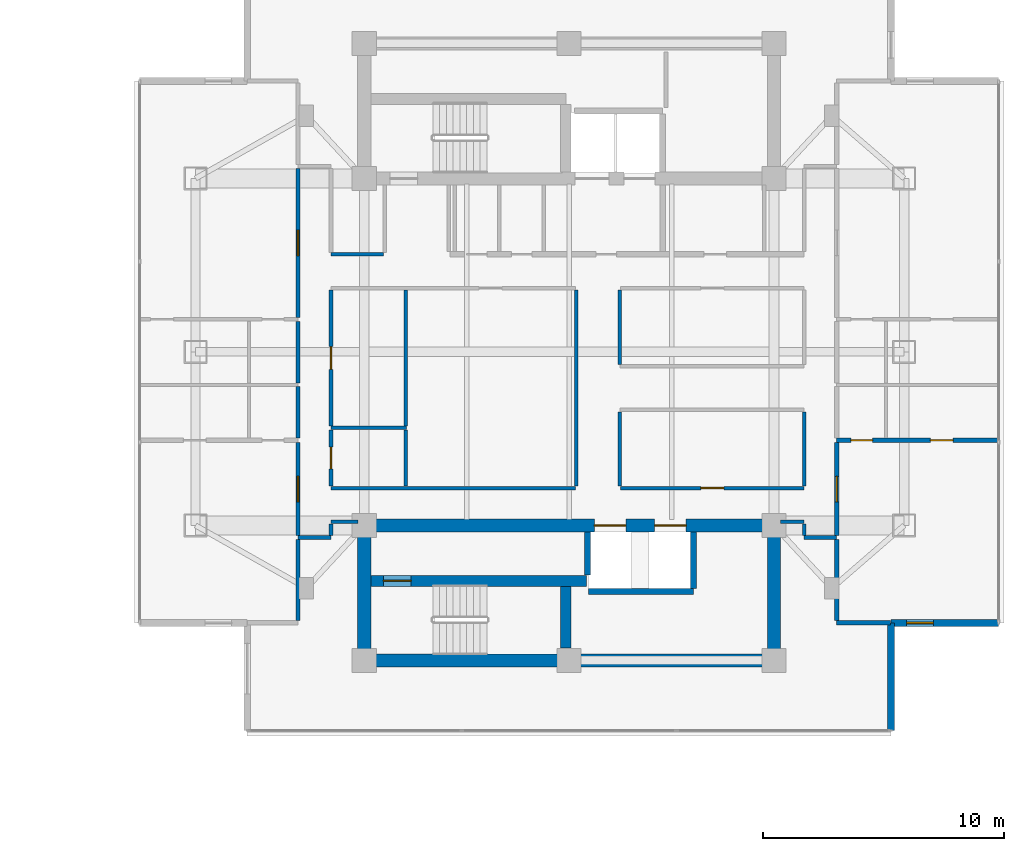
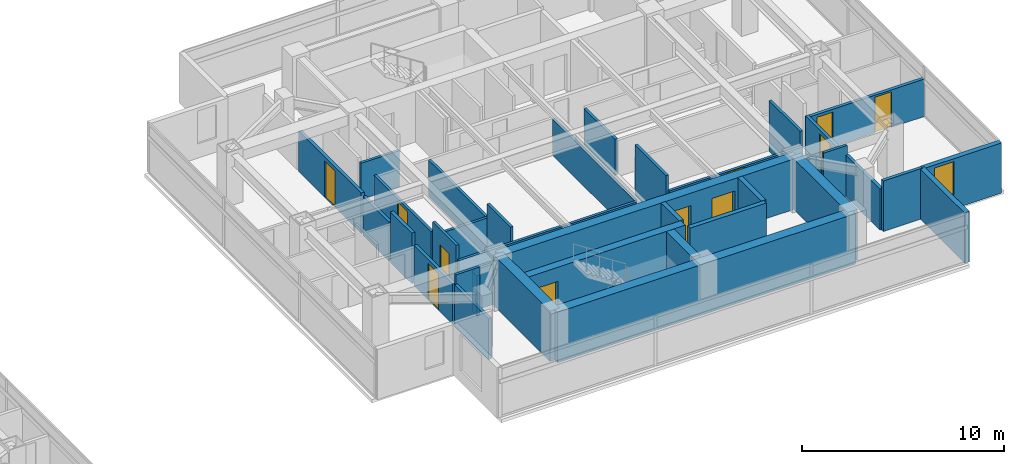
# One storey, part 18 of 26: 38 walls, 11 doors, 1 window, 12 openings.
"""IFC4 building model written with IfcOpenShell, lengths in metres."""

from ifc_helpers import new_model, si_unit, direction, frame, frame_2d, origin, place, context, subcontext, project, spatial, rectangle, extrude, material, layer, layer_set, type_object, element, fill, save


model = new_model("IFC4")

# Units and contexts
model_context = context("Model", 3, precision=1e-05, world=origin(), true_north=direction((0.0, 1.0)))
body_context = subcontext(model_context, "Body", "Model", "MODEL_VIEW")
ifc_project = project(units=[si_unit("LENGTHUNIT", "METRE"), si_unit("AREAUNIT", "SQUARE_METRE"), si_unit("VOLUMEUNIT", "CUBIC_METRE"), si_unit("PLANEANGLEUNIT", "RADIAN"), si_unit("MASSUNIT", "GRAM", prefix="KILO")], contexts=[model_context])

# Site, building, storey
site_placement = place(None, origin())
site = spatial("IfcSite", under=ifc_project, at=site_placement, CompositionType="ELEMENT")
building_placement = place(site_placement, origin())
building = spatial("IfcBuilding", under=site, at=building_placement, Name="Mirazonda Arch Towers", CompositionType="ELEMENT")
storey_placement = place(building_placement, frame((0.0, 0.0, 170.64990234375)))
storey = spatial("IfcBuildingStorey", under=building, at=storey_placement, Name="L48", CompositionType="ELEMENT", Elevation=170.64990234375)

# Wall, opening, door
ifc_material_1 = material(Name="Concrete C50/60", Category="concrete")
ifc_layer_1 = layer(ifc_material_1, 0.449951171875, Name="WALL-CORE-450")
ifc_layer_set_1 = layer_set([ifc_layer_1], Name="Concrete C50/60")
wall_type_1 = type_object("IfcWallType", Name="WALL-CORE-450", PredefinedType="SHEAR", material=ifc_layer_set_1)
wall_1_placement = place(storey_placement, frame((68.27001953125, 18.5, 0.0), z_axis=(0.0, 0.0, 1.0), x_axis=(1.0, 0.0, 0.0)))
wall_1 = element("IfcWall", 1, at=wall_1_placement, inside=storey, type_object=wall_type_1, Name="L48 Stair Core Shear Wall 013", PredefinedType="SHEAR", context=body_context, shape_type="SweptSolid", body=[
    extrude(rectangle(XDim=8.949951171875, YDim=0.449951171875, at=frame_2d((4.47509765625, 0.0))), origin(), (0.0, 0.0, 1.0), 3.050048828125),
])
opening_1_placement = place(wall_1_placement, frame((0.52001953125, 0.0, 0.0)))
opening_1 = element("IfcOpeningElement", 2, at=opening_1_placement, cuts=wall_1, Name="Opening DR-135", PredefinedType="OPENING", context=body_context, shape_type="SweptSolid", body=[
    extrude(rectangle(XDim=1.14990234375, YDim=2.199951171875, at=frame_2d((0.574951171875, 1.10009765625))), frame((0.0, 0.23486328125, 0.0), z_axis=(0.0, -1.0, 0.0), x_axis=(1.0, 0.0, 0.0)), (0.0, 0.0, 1.0), 0.469970703125),
])
ifc_material_2 = material(Name="Architectural Brushed Steel S355", Category="steel")
door_type_1 = type_object("IfcDoorType", Name="DOOR-STAIR-FD90-1150", OperationType="NOTDEFINED", PredefinedType="DOOR", material=ifc_material_2)
door_1_placement = place(opening_1_placement, origin())
door_1 = element("IfcDoor", 3, at=door_1_placement, inside=storey, type_object=door_type_1, Name="L48 East Protected Stair South Door", OperationType="SINGLE_SWING_RIGHT", OverallHeight=2.199951171875, OverallWidth=1.14990234375, PredefinedType="DOOR", context=body_context, shape_type="SweptSolid", body=[
    extrude(rectangle(XDim=1.14990234375, YDim=2.199951171875, at=frame_2d((0.574951171875, 1.10009765625))), frame((0.0, 0.02490234375, 0.0), z_axis=(0.0, -1.0, 0.0), x_axis=(1.0, 0.0, 0.0)), (0.0, 0.0, 1.0), 0.050048828125),
])
fill(opening_1, door_1)

# Walls
wall_2_placement = place(storey_placement, frame((76.360107421875, 15.715087890625, 0.0), z_axis=(0.0, 0.0, 1.0), x_axis=(0.0, 1.0, 0.0)))
element("IfcWall", 4, at=wall_2_placement, inside=storey, type_object=wall_type_1, Name="L48 Stair Core Shear Wall 157", PredefinedType="SHEAR", context=body_context, shape_type="SweptSolid", body=[
    extrude(rectangle(XDim=2.5498046875, YDim=0.449951171875, at=frame_2d((1.27490234375, 0.0))), origin(), (0.0, 0.0, 1.0), 3.050048828125),
])
ifc_layer_2 = layer(ifc_material_1, 0.550048828125, Name="WALL-CORE-550")
ifc_layer_set_2 = layer_set([ifc_layer_2], Name="Concrete C50/60")
wall_type_2 = type_object("IfcWallType", Name="WALL-CORE-550", PredefinedType="SHEAR", material=ifc_layer_set_2)
wall_3_placement = place(storey_placement, frame((68.0, 15.199951171875, 0.0), z_axis=(0.0, 0.0, 1.0), x_axis=(1.0, 0.0, 0.0)))
element("IfcWall", 5, at=wall_3_placement, inside=storey, type_object=wall_type_2, Name="L48 T2S-S Core Shear Wall", PredefinedType="SHEAR", context=body_context, shape_type="SweptSolid", body=[
    extrude(rectangle(XDim=17.0, YDim=0.550048828125, at=frame_2d((8.5, 0.0))), origin(), (0.0, 0.0, 1.0), 3.050048828125),
])
for number, where, z_axis, x_axis, name in (
    (6, (68.0, 15.199951171875, 0.0), (0.0, 0.0, 1.0), (0.0, 1.0, 0.0), "L48 T2S-W Core Shear Wall"),
    (7, (85.0, 15.199951171875, 0.0), (0.0, 0.0, 1.0), (0.0, 1.0, 0.0), "L48 T2S-E Core Shear Wall"),
):
    element("IfcWall", number, at=place(storey_placement, frame(where, z_axis=z_axis, x_axis=x_axis)), inside=storey, type_object=wall_type_2, Name=name, PredefinedType="SHEAR", context=body_context, shape_type="SweptSolid", body=[
        extrude(rectangle(XDim=5.60009765625, YDim=0.550048828125, at=frame_2d((2.800048828125, 0.0))), origin(), (0.0, 0.0, 1.0), 3.050048828125),
    ])

# Wall, openings, doors
wall_4_placement = place(storey_placement, frame((68.0, 20.800048828125, 0.0), z_axis=(0.0, 0.0, 1.0), x_axis=(1.0, 0.0, 0.0)))
wall_4 = element("IfcWall", 8, at=wall_4_placement, inside=storey, type_object=wall_type_2, Name="L48 T2S-N Core Shear Wall", PredefinedType="SHEAR", context=body_context, shape_type="SweptSolid", body=[
    extrude(rectangle(XDim=17.0, YDim=0.550048828125, at=frame_2d((8.5, 0.0))), origin(), (0.0, 0.0, 1.0), 3.050048828125),
])
opening_2_placement = place(wall_4_placement, frame((9.550048828125, 0.0, 0.0)))
opening_2 = element("IfcOpeningElement", 9, at=opening_2_placement, cuts=wall_4, Name="Opening LD-111", PredefinedType="OPENING", context=body_context, shape_type="SweptSolid", body=[
    extrude(rectangle(XDim=1.300048828125, YDim=2.300048828125, at=frame_2d((0.64990234375, 1.14990234375))), frame((0.0, 0.284912109375, 0.0), z_axis=(0.0, -1.0, 0.0), x_axis=(1.0, 0.0, 0.0)), (0.0, 0.0, 1.0), 0.570068359375),
])
opening_3_placement = place(wall_4_placement, frame((12.050048828125, 0.0, 0.0)))
opening_3 = element("IfcOpeningElement", 10, at=opening_3_placement, cuts=wall_4, Name="Opening LD-111", PredefinedType="OPENING", context=body_context, shape_type="SweptSolid", body=[
    extrude(rectangle(XDim=1.300048828125, YDim=2.300048828125, at=frame_2d((0.64990234375, 1.14990234375))), frame((0.0, 0.284912109375, 0.0), z_axis=(0.0, -1.0, 0.0), x_axis=(1.0, 0.0, 0.0)), (0.0, 0.0, 1.0), 0.570068359375),
])
door_type_2 = type_object("IfcDoorType", Name="DOOR-LIFT-LAND-1300", OperationType="NOTDEFINED", PredefinedType="DOOR", material=ifc_material_2)
door_2_placement = place(opening_2_placement, origin())
door_2 = element("IfcDoor", 11, at=door_2_placement, inside=storey, type_object=door_type_2, Name="L48 Lift Landing Sliding Door PL-T2H1", OperationType="DOUBLE_DOOR_SLIDING", OverallHeight=2.300048828125, OverallWidth=1.300048828125, PredefinedType="DOOR", context=body_context, shape_type="SweptSolid", body=[
    extrude(rectangle(XDim=1.300048828125, YDim=2.300048828125, at=frame_2d((0.64990234375, 1.14990234375))), frame((0.0, 0.02490234375, 0.0), z_axis=(0.0, -1.0, 0.0), x_axis=(1.0, 0.0, 0.0)), (0.0, 0.0, 1.0), 0.050048828125),
])
fill(opening_2, door_2)
door_3_placement = place(opening_3_placement, origin())
door_3 = element("IfcDoor", 12, at=door_3_placement, inside=storey, type_object=door_type_2, Name="L48 Lift Landing Sliding Door PL-T2H2", OperationType="DOUBLE_DOOR_SLIDING", OverallHeight=2.300048828125, OverallWidth=1.300048828125, PredefinedType="DOOR", context=body_context, shape_type="SweptSolid", body=[
    extrude(rectangle(XDim=1.300048828125, YDim=2.300048828125, at=frame_2d((0.64990234375, 1.14990234375))), frame((0.0, 0.02490234375, 0.0), z_axis=(0.0, -1.0, 0.0), x_axis=(1.0, 0.0, 0.0)), (0.0, 0.0, 1.0), 0.050048828125),
])
fill(opening_3, door_3)

# Wall, opening, window
ifc_material_3 = material(Name="Precast Concrete C40/50", Category="concrete")
ifc_layer_3 = layer(ifc_material_3, 0.280029296875, Name="WALL-EXT-WALL-280")
ifc_layer_set_3 = layer_set([ifc_layer_3], Name="Precast Concrete C40/50")
wall_type_3 = type_object("IfcWallType", Name="WALL-EXT-WALL-280", PredefinedType="SOLIDWALL", material=ifc_layer_set_3)
wall_5_placement = place(storey_placement, frame((89.857421875, 16.757080078125, 0.0), z_axis=(0.0, 0.0, 1.0), x_axis=(1.0, 0.0, 0.0)))
wall_5 = element("IfcWall", 13, at=wall_5_placement, inside=storey, type_object=wall_type_3, Name="L48 T2 Corner Notch Return Wall WL-L48-T2-CSE1", PredefinedType="SOLIDWALL", context=body_context, shape_type="SweptSolid", body=[
    extrude(rectangle(XDim=4.465087890625, YDim=0.280029296875, at=frame_2d((2.232421875, 0.0))), origin(), (0.0, 0.0, 1.0), 3.030029296875),
])
opening_4_placement = place(wall_5_placement, frame((0.64990234375, 0.0, 0.85009765625)))
opening_4 = element("IfcOpeningElement", 14, at=opening_4_placement, cuts=wall_5, Name="Opening WN-108", PredefinedType="OPENING", context=body_context, shape_type="SweptSolid", body=[
    extrude(rectangle(XDim=1.10009765625, YDim=2.0, at=frame_2d((0.550048828125, 1.0))), frame((0.0, 0.14990234375, 0.0), z_axis=(0.0, -1.0, 0.0), x_axis=(1.0, 0.0, 0.0)), (0.0, 0.0, 1.0), 0.300048828125),
])
ifc_material_4 = material(Name="Insulated Low-E Solar Glass", Category="glass")
window_type = type_object("IfcWindowType", Name="WIN-NOTCH-1100x2000", PartitioningType="SINGLE_PANEL", PredefinedType="WINDOW", material=ifc_material_4)
window_placement = place(opening_4_placement, origin())
window = element("IfcWindow", 15, at=window_placement, inside=storey, type_object=window_type, Name="L48 Punched Facade Window WN-L48-T2-CSE1", OverallHeight=2.0, OverallWidth=1.10009765625, PartitioningType="SINGLE_PANEL", PredefinedType="WINDOW", context=body_context, shape_type="SweptSolid", body=[
    extrude(rectangle(XDim=1.10009765625, YDim=2.0, at=frame_2d((0.550048828125, 1.0))), frame((0.0, 0.030029296875, 0.0), z_axis=(0.0, -1.0, 0.0), x_axis=(1.0, 0.0, 0.0)), (0.0, 0.0, 1.0), 0.06005859375),
])
fill(opening_4, window)

# Walls
wall_6_placement = place(storey_placement, frame((89.857421875, 12.2919921875, 0.0), z_axis=(0.0, 0.0, 1.0), x_axis=(0.0, 1.0, 0.0)))
element("IfcWall", 16, at=wall_6_placement, inside=storey, type_object=wall_type_3, Name="L48 T2 Corner Notch Return Wall WL-L48-T2-CSE2", PredefinedType="SOLIDWALL", context=body_context, shape_type="SweptSolid", body=[
    extrude(rectangle(XDim=4.465087890625, YDim=0.280029296875, at=frame_2d((2.232421875, 0.0))), origin(), (0.0, 0.0, 1.0), 3.030029296875),
])
ifc_material_5 = material(Name="Fire-Rated Gypsum Stud Partition")
ifc_layer_4 = layer(ifc_material_5, 0.14990234375, Name="WALL-PART-CORR-150")
ifc_layer_set_4 = layer_set([ifc_layer_4], Name="Fire-Rated Gypsum Stud Partition")
wall_type_4 = type_object("IfcWallType", Name="WALL-PART-CORR-150", PredefinedType="PARTITIONING", material=ifc_layer_set_4)
wall_7_placement = place(storey_placement, frame((65.25, 20.300048828125, 0.0), z_axis=(0.0, 0.0, 1.0), x_axis=(1.0, 0.0, 0.0)))
element("IfcWall", 17, at=wall_7_placement, inside=storey, type_object=wall_type_4, Name="L48 Interior Partition 017", PredefinedType="PARTITIONING", context=body_context, shape_type="SweptSolid", body=[
    extrude(rectangle(XDim=1.3701171875, YDim=0.14990234375, at=frame_2d((0.68505859375, 0.0))), origin(), (0.0, 0.0, 1.0), 3.050048828125),
])
wall_8_placement = place(storey_placement, frame((86.25, 20.300048828125, 0.0), z_axis=(0.0, 0.0, 1.0), x_axis=(1.0, 0.0, 0.0)))
element("IfcWall", 18, at=wall_8_placement, inside=storey, type_object=wall_type_4, Name="L48 Interior Partition 018", PredefinedType="PARTITIONING", context=body_context, shape_type="SweptSolid", body=[
    extrude(rectangle(XDim=1.35009765625, YDim=0.14990234375, at=frame_2d((0.675048828125, 0.0))), origin(), (0.0, 0.0, 1.0), 3.050048828125),
])
wall_9_placement = place(storey_placement, frame((66.6201171875, 20.949951171875, 0.0), z_axis=(0.0, 0.0, 1.0), x_axis=(1.0, 0.0, 0.0)))
element("IfcWall", 19, at=wall_9_placement, inside=storey, type_object=wall_type_4, Name="L48 Interior Partition 019", PredefinedType="PARTITIONING", context=body_context, shape_type="SweptSolid", body=[
    extrude(rectangle(XDim=1.10986328125, YDim=0.14990234375, at=frame_2d((0.554931640625, 0.0))), origin(), (0.0, 0.0, 1.0), 2.442138671875),
])
wall_10_placement = place(storey_placement, frame((85.27001953125, 20.949951171875, 0.0), z_axis=(0.0, 0.0, 1.0), x_axis=(1.0, 0.0, 0.0)))
element("IfcWall", 20, at=wall_10_placement, inside=storey, type_object=wall_type_4, Name="L48 Interior Partition 020", PredefinedType="PARTITIONING", context=body_context, shape_type="SweptSolid", body=[
    extrude(rectangle(XDim=0.97998046875, YDim=0.14990234375, at=frame_2d((0.489990234375, 0.0))), origin(), (0.0, 0.0, 1.0), 2.442138671875),
])
wall_11_placement = place(storey_placement, frame((66.6201171875, 22.35009765625, 0.0), z_axis=(0.0, 0.0, 1.0), x_axis=(1.0, 0.0, 0.0)))
element("IfcWall", 21, at=wall_11_placement, inside=storey, type_object=wall_type_4, Name="L48 Interior Partition 023", PredefinedType="PARTITIONING", context=body_context, shape_type="SweptSolid", body=[
    extrude(rectangle(XDim=10.139892578125, YDim=0.14990234375, at=frame_2d((5.06982421875, 0.0))), origin(), (0.0, 0.0, 1.0), 2.18603515625),
])

# Wall, opening, door
wall_12_placement = place(storey_placement, frame((78.639892578125, 22.35009765625, 0.0), z_axis=(0.0, 0.0, 1.0), x_axis=(1.0, 0.0, 0.0)))
wall_12 = element("IfcWall", 22, at=wall_12_placement, inside=storey, type_object=wall_type_4, Name="L48 Interior Partition 024", PredefinedType="PARTITIONING", context=body_context, shape_type="SweptSolid", body=[
    extrude(rectangle(XDim=7.610107421875, YDim=0.14990234375, at=frame_2d((3.80517578125, 0.0))), origin(), (0.0, 0.0, 1.0), 2.18603515625),
])
opening_5_placement = place(wall_12_placement, frame((3.330078125, 0.0, 0.0)))
opening_5 = element("IfcOpeningElement", 23, at=opening_5_placement, cuts=wall_12, Name="Opening DR-104", PredefinedType="OPENING", context=body_context, shape_type="SweptSolid", body=[
    extrude(rectangle(XDim=0.949951171875, YDim=2.14990234375, at=frame_2d((0.47509765625, 1.074951171875))), frame((0.0, 0.0849609375, 0.0), z_axis=(0.0, -1.0, 0.0), x_axis=(1.0, 0.0, 0.0)), (0.0, 0.0, 1.0), 0.169921875),
])
door_type_3 = type_object("IfcDoorType", Name="DOOR-ROOM-950", OperationType="NOTDEFINED", PredefinedType="DOOR", material=ifc_material_2)
door_4_placement = place(opening_5_placement, origin())
door_4 = element("IfcDoor", 24, at=door_4_placement, inside=storey, type_object=door_type_3, Name="L48 L48 Tower 2 South-East Salon Door", OperationType="SINGLE_SWING_RIGHT", OverallHeight=2.14990234375, OverallWidth=0.949951171875, PredefinedType="DOOR", context=body_context, shape_type="SweptSolid", body=[
    extrude(rectangle(XDim=0.949951171875, YDim=2.14990234375, at=frame_2d((0.47509765625, 1.074951171875))), frame((0.0, 0.02490234375, 0.0), z_axis=(0.0, -1.0, 0.0), x_axis=(1.0, 0.0, 0.0)), (0.0, 0.0, 1.0), 0.050048828125),
])
fill(opening_5, door_4)

# Walls
wall_13_placement = place(storey_placement, frame((66.6201171875, 24.85009765625, 0.0), z_axis=(0.0, 0.0, 1.0), x_axis=(1.0, 0.0, 0.0)))
element("IfcWall", 25, at=wall_13_placement, inside=storey, type_object=wall_type_4, Name="L48 Interior Partition 028", PredefinedType="PARTITIONING", context=body_context, shape_type="SweptSolid", body=[
    extrude(rectangle(XDim=3.1298828125, YDim=0.14990234375, at=frame_2d((1.56494140625, 0.0))), origin(), (0.0, 0.0, 1.0), 2.18603515625),
])
wall_14_placement = place(storey_placement, frame((66.6201171875, 32.050048828125, 0.0), z_axis=(0.0, 0.0, 1.0), x_axis=(1.0, 0.0, 0.0)))
element("IfcWall", 26, at=wall_14_placement, inside=storey, type_object=wall_type_4, Name="L48 Interior Partition 044", PredefinedType="PARTITIONING", context=body_context, shape_type="SweptSolid", body=[
    extrude(rectangle(XDim=2.179931640625, YDim=0.14990234375, at=frame_2d((1.08984375, 0.0))), origin(), (0.0, 0.0, 1.0), 2.18603515625),
])
wall_15_placement = place(storey_placement, frame((66.6201171875, 20.385009765625, 0.0), z_axis=(0.0, 0.0, 1.0), x_axis=(0.0, 1.0, 0.0)))
element("IfcWall", 27, at=wall_15_placement, inside=storey, type_object=wall_type_4, Name="L48 Interior Partition 146", PredefinedType="PARTITIONING", context=body_context, shape_type="SweptSolid", body=[
    extrude(rectangle(XDim=0.47998046875, YDim=0.14990234375, at=frame_2d((0.239990234375, 0.0))), origin(), (0.0, 0.0, 1.0), 2.442138671875),
])

# Wall, opening, door
wall_16_placement = place(storey_placement, frame((66.6201171875, 22.43505859375, 0.0), z_axis=(0.0, 0.0, 1.0), x_axis=(0.0, 1.0, 0.0)))
wall_16 = element("IfcWall", 28, at=wall_16_placement, inside=storey, type_object=wall_type_4, Name="L48 Interior Partition 147", PredefinedType="PARTITIONING", context=body_context, shape_type="SweptSolid", body=[
    extrude(rectangle(XDim=2.329833984375, YDim=0.14990234375, at=frame_2d((1.1650390625, 0.0))), origin(), (0.0, 0.0, 1.0), 3.050048828125),
])
opening_6_placement = place(wall_16_placement, frame((0.715087890625, 0.0, 0.0)))
opening_6 = element("IfcOpeningElement", 29, at=opening_6_placement, cuts=wall_16, Name="Opening DR-120", PredefinedType="OPENING", context=body_context, shape_type="SweptSolid", body=[
    extrude(rectangle(XDim=0.89990234375, YDim=2.10009765625, at=frame_2d((0.449951171875, 1.050048828125))), frame((0.0, 0.0849609375, 0.0), z_axis=(0.0, -1.0, 0.0), x_axis=(1.0, 0.0, 0.0)), (0.0, 0.0, 1.0), 0.169921875),
])
door_type_4 = type_object("IfcDoorType", Name="DOOR-WC-900", OperationType="NOTDEFINED", PredefinedType="DOOR", material=ifc_material_2)
door_5_placement = place(opening_6_placement, origin())
door_5 = element("IfcDoor", 30, at=door_5_placement, inside=storey, type_object=door_type_4, Name="L48 Tower 2 Common Accessible WC Door", OperationType="SINGLE_SWING_LEFT", OverallHeight=2.10009765625, OverallWidth=0.89990234375, PredefinedType="DOOR", context=body_context, shape_type="SweptSolid", body=[
    extrude(rectangle(XDim=0.89990234375, YDim=2.10009765625, at=frame_2d((0.449951171875, 1.050048828125))), frame((0.0, 0.02490234375, 0.0), z_axis=(0.0, -1.0, 0.0), x_axis=(1.0, 0.0, 0.0)), (0.0, 0.0, 1.0), 0.050048828125),
])
fill(opening_6, door_5)

wall_17_placement = place(storey_placement, frame((66.6201171875, 24.93505859375, 0.0), z_axis=(0.0, 0.0, 1.0), x_axis=(0.0, 1.0, 0.0)))
wall_17 = element("IfcWall", 31, at=wall_17_placement, inside=storey, type_object=wall_type_4, Name="L48 Interior Partition 148", PredefinedType="PARTITIONING", context=body_context, shape_type="SweptSolid", body=[
    extrude(rectangle(XDim=5.6298828125, YDim=0.14990234375, at=frame_2d((2.81494140625, 0.0))), origin(), (0.0, 0.0, 1.0), 2.34619140625),
])
opening_7_placement = place(wall_17_placement, frame((2.340087890625, 0.0, 0.0)))
opening_7 = element("IfcOpeningElement", 32, at=opening_7_placement, cuts=wall_17, Name="Opening DR-104", PredefinedType="OPENING", context=body_context, shape_type="SweptSolid", body=[
    extrude(rectangle(XDim=0.949951171875, YDim=2.14990234375, at=frame_2d((0.47509765625, 1.074951171875))), frame((0.0, 0.0849609375, 0.0), z_axis=(0.0, -1.0, 0.0), x_axis=(1.0, 0.0, 0.0)), (0.0, 0.0, 1.0), 0.169921875),
])
door_6_placement = place(opening_7_placement, origin())
door_6 = element("IfcDoor", 33, at=door_6_placement, inside=storey, type_object=door_type_3, Name="L48 L48 East Courtyard Reading Study Door", OperationType="SINGLE_SWING_RIGHT", OverallHeight=2.14990234375, OverallWidth=0.949951171875, PredefinedType="DOOR", context=body_context, shape_type="SweptSolid", body=[
    extrude(rectangle(XDim=0.949951171875, YDim=2.14990234375, at=frame_2d((0.47509765625, 1.074951171875))), frame((0.0, 0.02490234375, 0.0), z_axis=(0.0, -1.0, 0.0), x_axis=(1.0, 0.0, 0.0)), (0.0, 0.0, 1.0), 0.050048828125),
])
fill(opening_7, door_6)

# Walls
wall_18_placement = place(storey_placement, frame((69.723388671875, 22.43505859375, 0.0), z_axis=(0.0, 0.0, 1.0), x_axis=(0.0, 1.0, 0.0)))
element("IfcWall", 34, at=wall_18_placement, inside=storey, type_object=wall_type_4, Name="L48 Interior Partition 151", PredefinedType="PARTITIONING", context=body_context, shape_type="SweptSolid", body=[
    extrude(rectangle(XDim=2.329833984375, YDim=0.14990234375, at=frame_2d((1.1650390625, 0.0))), origin(), (0.0, 0.0, 1.0), 3.050048828125),
])
wall_19_placement = place(storey_placement, frame((69.723388671875, 24.93505859375, 0.0), z_axis=(0.0, 0.0, 1.0), x_axis=(0.0, 1.0, 0.0)))
element("IfcWall", 35, at=wall_19_placement, inside=storey, type_object=wall_type_4, Name="L48 Interior Partition 152", PredefinedType="PARTITIONING", context=body_context, shape_type="SweptSolid", body=[
    extrude(rectangle(XDim=5.6298828125, YDim=0.14990234375, at=frame_2d((2.81494140625, 0.0))), origin(), (0.0, 0.0, 1.0), 2.18603515625),
])
wall_20_placement = place(storey_placement, frame((76.800048828125, 22.43505859375, 0.0), z_axis=(0.0, 0.0, 1.0), x_axis=(0.0, 1.0, 0.0)))
element("IfcWall", 36, at=wall_20_placement, inside=storey, type_object=wall_type_4, Name="L48 Interior Partition 159", PredefinedType="PARTITIONING", context=body_context, shape_type="SweptSolid", body=[
    extrude(rectangle(XDim=8.1298828125, YDim=0.14990234375, at=frame_2d((4.06494140625, 0.0))), origin(), (0.0, 0.0, 1.0), 2.18603515625),
])
wall_21_placement = place(storey_placement, frame((78.60009765625, 22.43505859375, 0.0), z_axis=(0.0, 0.0, 1.0), x_axis=(0.0, 1.0, 0.0)))
element("IfcWall", 37, at=wall_21_placement, inside=storey, type_object=wall_type_4, Name="L48 Interior Partition 161", PredefinedType="PARTITIONING", context=body_context, shape_type="SweptSolid", body=[
    extrude(rectangle(XDim=3.079833984375, YDim=0.14990234375, at=frame_2d((1.5400390625, 0.0))), origin(), (0.0, 0.0, 1.0), 3.050048828125),
])
wall_22_placement = place(storey_placement, frame((78.60009765625, 27.485107421875, 0.0), z_axis=(0.0, 0.0, 1.0), x_axis=(0.0, 1.0, 0.0)))
element("IfcWall", 38, at=wall_22_placement, inside=storey, type_object=wall_type_4, Name="L48 Interior Partition 162", PredefinedType="PARTITIONING", context=body_context, shape_type="SweptSolid", body=[
    extrude(rectangle(XDim=3.079833984375, YDim=0.14990234375, at=frame_2d((1.5400390625, 0.0))), origin(), (0.0, 0.0, 1.0), 2.18603515625),
])
wall_23_placement = place(storey_placement, frame((86.25, 20.385009765625, 0.0), z_axis=(0.0, 0.0, 1.0), x_axis=(0.0, 1.0, 0.0)))
element("IfcWall", 39, at=wall_23_placement, inside=storey, type_object=wall_type_4, Name="L48 Interior Partition 168", PredefinedType="PARTITIONING", context=body_context, shape_type="SweptSolid", body=[
    extrude(rectangle(XDim=0.47998046875, YDim=0.14990234375, at=frame_2d((0.239990234375, 0.0))), origin(), (0.0, 0.0, 1.0), 2.442138671875),
])
wall_24_placement = place(storey_placement, frame((86.25, 22.43505859375, 0.0), z_axis=(0.0, 0.0, 1.0), x_axis=(0.0, 1.0, 0.0)))
element("IfcWall", 40, at=wall_24_placement, inside=storey, type_object=wall_type_4, Name="L48 Interior Partition 169", PredefinedType="PARTITIONING", context=body_context, shape_type="SweptSolid", body=[
    extrude(rectangle(XDim=3.079833984375, YDim=0.14990234375, at=frame_2d((1.5400390625, 0.0))), origin(), (0.0, 0.0, 1.0), 3.050048828125),
])
ifc_material_6 = material(Name="Fire-Rated Gypsum Twin-Stud Assembly")
ifc_layer_5 = layer(ifc_material_6, 0.179931640625, Name="WALL-PART-DEMISE-180")
ifc_layer_set_5 = layer_set([ifc_layer_5], Name="Fire-Rated Gypsum Twin-Stud Assembly")
wall_type_5 = type_object("IfcWallType", Name="WALL-PART-DEMISE-180", PredefinedType="PARTITIONING", material=ifc_layer_set_5)
wall_25_placement = place(storey_placement, frame((87.60009765625, 16.757080078125, 0.0), z_axis=(0.0, 0.0, 1.0), x_axis=(1.0, 0.0, 0.0)))
element("IfcWall", 41, at=wall_25_placement, inside=storey, type_object=wall_type_5, Name="L48 Interior Partition 009", PredefinedType="PARTITIONING", context=body_context, shape_type="SweptSolid", body=[
    extrude(rectangle(XDim=2.2373046875, YDim=0.179931640625, at=frame_2d((1.11865234375, 0.0))), origin(), (0.0, 0.0, 1.0), 3.050048828125),
])

# Wall, openings, doors
wall_26_placement = place(storey_placement, frame((87.60009765625, 24.33203125, 0.0), z_axis=(0.0, 0.0, 1.0), x_axis=(1.0, 0.0, 0.0)))
wall_26 = element("IfcWall", 42, at=wall_26_placement, inside=storey, type_object=wall_type_5, Name="L48 Interior Partition 027", PredefinedType="PARTITIONING", context=body_context, shape_type="SweptSolid", body=[
    extrude(rectangle(XDim=6.722900390625, YDim=0.179931640625, at=frame_2d((3.361328125, 0.0))), origin(), (0.0, 0.0, 1.0), 2.26904296875),
])
opening_8_placement = place(wall_26_placement, frame((3.886474609375, 0.0, 0.0)))
opening_8 = element("IfcOpeningElement", 43, at=opening_8_placement, cuts=wall_26, Name="Opening DR-104", PredefinedType="OPENING", context=body_context, shape_type="SweptSolid", body=[
    extrude(rectangle(XDim=0.949951171875, YDim=2.14990234375, at=frame_2d((0.47509765625, 1.074951171875))), frame((0.0, 0.099853515625, 0.0), z_axis=(0.0, -1.0, 0.0), x_axis=(1.0, 0.0, 0.0)), (0.0, 0.0, 1.0), 0.199951171875),
])
opening_9_placement = place(wall_26_placement, frame((0.590087890625, 0.0, 0.0)))
opening_9 = element("IfcOpeningElement", 44, at=opening_9_placement, cuts=wall_26, Name="Opening DR-120", PredefinedType="OPENING", context=body_context, shape_type="SweptSolid", body=[
    extrude(rectangle(XDim=0.89990234375, YDim=2.10009765625, at=frame_2d((0.449951171875, 1.050048828125))), frame((0.0, 0.099853515625, 0.0), z_axis=(0.0, -1.0, 0.0), x_axis=(1.0, 0.0, 0.0)), (0.0, 0.0, 1.0), 0.199951171875),
])
door_7_placement = place(opening_8_placement, origin())
door_7 = element("IfcDoor", 45, at=door_7_placement, inside=storey, type_object=door_type_3, Name="L48 Studio 1 Galley Kitchen Door", OperationType="SINGLE_SWING_LEFT", OverallHeight=2.14990234375, OverallWidth=0.949951171875, PredefinedType="DOOR", context=body_context, shape_type="SweptSolid", body=[
    extrude(rectangle(XDim=0.949951171875, YDim=2.14990234375, at=frame_2d((0.47509765625, 1.074951171875))), frame((0.0, 0.02490234375, 0.0), z_axis=(0.0, -1.0, 0.0), x_axis=(1.0, 0.0, 0.0)), (0.0, 0.0, 1.0), 0.050048828125),
])
fill(opening_8, door_7)
door_8_placement = place(opening_9_placement, origin())
door_8 = element("IfcDoor", 46, at=door_8_placement, inside=storey, type_object=door_type_4, Name="L48 Studio 1 Bathroom Door", OperationType="SINGLE_SWING_RIGHT", OverallHeight=2.10009765625, OverallWidth=0.89990234375, PredefinedType="DOOR", context=body_context, shape_type="SweptSolid", body=[
    extrude(rectangle(XDim=0.89990234375, YDim=2.10009765625, at=frame_2d((0.449951171875, 1.050048828125))), frame((0.0, 0.02490234375, 0.0), z_axis=(0.0, -1.0, 0.0), x_axis=(1.0, 0.0, 0.0)), (0.0, 0.0, 1.0), 0.050048828125),
])
fill(opening_9, door_8)

# Wall
wall_27_placement = place(storey_placement, frame((65.25, 16.85693359375, 0.0), z_axis=(0.0, 0.0, 1.0), x_axis=(0.0, 1.0, 0.0)))
element("IfcWall", 47, at=wall_27_placement, inside=storey, type_object=wall_type_5, Name="L48 Interior Partition 140", PredefinedType="PARTITIONING", context=body_context, shape_type="SweptSolid", body=[
    extrude(rectangle(XDim=3.358154296875, YDim=0.179931640625, at=frame_2d((1.67919921875, 0.0))), origin(), (0.0, 0.0, 1.0), 2.4931640625),
])

# Wall, opening, door
wall_28_placement = place(storey_placement, frame((65.25, 20.385009765625, 0.0), z_axis=(0.0, 0.0, 1.0), x_axis=(0.0, 1.0, 0.0)))
wall_28 = element("IfcWall", 48, at=wall_28_placement, inside=storey, type_object=wall_type_5, Name="L48 Interior Partition 141", PredefinedType="PARTITIONING", context=body_context, shape_type="SweptSolid", body=[
    extrude(rectangle(XDim=3.846923828125, YDim=0.179931640625, at=frame_2d((1.92333984375, 0.0))), origin(), (0.0, 0.0, 1.0), 2.442138671875),
])
opening_10_placement = place(wall_28_placement, frame((1.3984375, 0.0, 0.0)))
opening_10 = element("IfcOpeningElement", 49, at=opening_10_placement, cuts=wall_28, Name="Opening DR-121", PredefinedType="OPENING", context=body_context, shape_type="SweptSolid", body=[
    extrude(rectangle(XDim=1.050048828125, YDim=2.199951171875, at=frame_2d((0.52490234375, 1.10009765625))), frame((0.0, 0.099853515625, 0.0), z_axis=(0.0, -1.0, 0.0), x_axis=(1.0, 0.0, 0.0)), (0.0, 0.0, 1.0), 0.199951171875),
])
door_type_5 = type_object("IfcDoorType", Name="DOOR-SUITE-FD60-1050", OperationType="NOTDEFINED", PredefinedType="DOOR", material=ifc_material_2)
door_9_placement = place(opening_10_placement, origin())
door_9 = element("IfcDoor", 50, at=door_9_placement, inside=storey, type_object=door_type_5, Name="L48 Studio Apartment 1 Living Salon Door", OperationType="SINGLE_SWING_RIGHT", OverallHeight=2.199951171875, OverallWidth=1.050048828125, PredefinedType="DOOR", context=body_context, shape_type="SweptSolid", body=[
    extrude(rectangle(XDim=1.050048828125, YDim=2.199951171875, at=frame_2d((0.52490234375, 1.10009765625))), frame((0.0, 0.02490234375, 0.0), z_axis=(0.0, -1.0, 0.0), x_axis=(1.0, 0.0, 0.0)), (0.0, 0.0, 1.0), 0.050048828125),
])
fill(opening_10, door_9)

# Walls
wall_29_placement = place(storey_placement, frame((65.25, 24.431884765625, 0.0), z_axis=(0.0, 0.0, 1.0), x_axis=(0.0, 1.0, 0.0)))
element("IfcWall", 51, at=wall_29_placement, inside=storey, type_object=wall_type_5, Name="L48 Interior Partition 142", PredefinedType="PARTITIONING", context=body_context, shape_type="SweptSolid", body=[
    extrude(rectangle(XDim=2.127685546875, YDim=0.179931640625, at=frame_2d((1.06396484375, 0.0))), origin(), (0.0, 0.0, 1.0), 3.050048828125),
])
wall_30_placement = place(storey_placement, frame((65.25, 26.70458984375, 0.0), z_axis=(0.0, 0.0, 1.0), x_axis=(0.0, 1.0, 0.0)))
element("IfcWall", 52, at=wall_30_placement, inside=storey, type_object=wall_type_5, Name="L48 Interior Partition 143", PredefinedType="PARTITIONING", context=body_context, shape_type="SweptSolid", body=[
    extrude(rectangle(XDim=2.5625, YDim=0.179931640625, at=frame_2d((1.28125, 0.0))), origin(), (0.0, 0.0, 1.0), 2.34619140625),
])

# Wall, opening, door
wall_31_placement = place(storey_placement, frame((65.25, 29.43701171875, 0.0), z_axis=(0.0, 0.0, 1.0), x_axis=(0.0, 1.0, 0.0)))
wall_31 = element("IfcWall", 53, at=wall_31_placement, inside=storey, type_object=wall_type_5, Name="L48 Interior Partition 144", PredefinedType="PARTITIONING", context=body_context, shape_type="SweptSolid", body=[
    extrude(rectangle(XDim=6.177978515625, YDim=0.179931640625, at=frame_2d((3.0888671875, 0.0))), origin(), (0.0, 0.0, 1.0), 2.442138671875),
])
opening_11_placement = place(wall_31_placement, frame((2.56396484375, 0.0, 0.0)))
opening_11 = element("IfcOpeningElement", 54, at=opening_11_placement, cuts=wall_31, Name="Opening DR-121", PredefinedType="OPENING", context=body_context, shape_type="SweptSolid", body=[
    extrude(rectangle(XDim=1.050048828125, YDim=2.199951171875, at=frame_2d((0.52490234375, 1.10009765625))), frame((0.0, 0.099853515625, 0.0), z_axis=(0.0, -1.0, 0.0), x_axis=(1.0, 0.0, 0.0)), (0.0, 0.0, 1.0), 0.199951171875),
])
door_10_placement = place(opening_11_placement, origin())
door_10 = element("IfcDoor", 55, at=door_10_placement, inside=storey, type_object=door_type_5, Name="L48 Studio Apartment 2 Living Salon Door", OperationType="SINGLE_SWING_LEFT", OverallHeight=2.199951171875, OverallWidth=1.050048828125, PredefinedType="DOOR", context=body_context, shape_type="SweptSolid", body=[
    extrude(rectangle(XDim=1.050048828125, YDim=2.199951171875, at=frame_2d((0.52490234375, 1.10009765625))), frame((0.0, 0.02490234375, 0.0), z_axis=(0.0, -1.0, 0.0), x_axis=(1.0, 0.0, 0.0)), (0.0, 0.0, 1.0), 0.050048828125),
])
fill(opening_11, door_10)

# Wall
wall_32_placement = place(storey_placement, frame((87.60009765625, 16.85693359375, 0.0), z_axis=(0.0, 0.0, 1.0), x_axis=(0.0, 1.0, 0.0)))
element("IfcWall", 56, at=wall_32_placement, inside=storey, type_object=wall_type_5, Name="L48 Interior Partition 172", PredefinedType="PARTITIONING", context=body_context, shape_type="SweptSolid", body=[
    extrude(rectangle(XDim=3.358154296875, YDim=0.179931640625, at=frame_2d((1.67919921875, 0.0))), origin(), (0.0, 0.0, 1.0), 2.4931640625),
])

# Wall, opening, door
wall_33_placement = place(storey_placement, frame((87.60009765625, 20.385009765625, 0.0), z_axis=(0.0, 0.0, 1.0), x_axis=(0.0, 1.0, 0.0)))
wall_33 = element("IfcWall", 57, at=wall_33_placement, inside=storey, type_object=wall_type_5, Name="L48 Interior Partition 173", PredefinedType="PARTITIONING", context=body_context, shape_type="SweptSolid", body=[
    extrude(rectangle(XDim=3.846923828125, YDim=0.179931640625, at=frame_2d((1.92333984375, 0.0))), origin(), (0.0, 0.0, 1.0), 2.442138671875),
])
opening_12_placement = place(wall_33_placement, frame((1.3984375, 0.0, 0.0)))
opening_12 = element("IfcOpeningElement", 58, at=opening_12_placement, cuts=wall_33, Name="Opening DR-121", PredefinedType="OPENING", context=body_context, shape_type="SweptSolid", body=[
    extrude(rectangle(XDim=1.050048828125, YDim=2.199951171875, at=frame_2d((0.52490234375, 1.10009765625))), frame((0.0, 0.099853515625, 0.0), z_axis=(0.0, -1.0, 0.0), x_axis=(1.0, 0.0, 0.0)), (0.0, 0.0, 1.0), 0.199951171875),
])
door_11_placement = place(opening_12_placement, origin())
door_11 = element("IfcDoor", 59, at=door_11_placement, inside=storey, type_object=door_type_5, Name="L48 Studio Apartment 1 Living Salon Door", OperationType="SINGLE_SWING_RIGHT", OverallHeight=2.199951171875, OverallWidth=1.050048828125, PredefinedType="DOOR", context=body_context, shape_type="SweptSolid", body=[
    extrude(rectangle(XDim=1.050048828125, YDim=2.199951171875, at=frame_2d((0.52490234375, 1.10009765625))), frame((0.0, 0.02490234375, 0.0), z_axis=(0.0, -1.0, 0.0), x_axis=(1.0, 0.0, 0.0)), (0.0, 0.0, 1.0), 0.050048828125),
])
fill(opening_12, door_11)

# Walls
ifc_material_7 = material(Name="Concrete C40/50", Category="concrete")
ifc_layer_6 = layer(ifc_material_7, 0.25, Name="WALL-SHAFT-250")
ifc_layer_set_6 = layer_set([ifc_layer_6], Name="Concrete C40/50")
wall_type_6 = type_object("IfcWallType", Name="WALL-SHAFT-250", PredefinedType="SOLIDWALL", material=ifc_layer_set_6)
wall_34_placement = place(storey_placement, frame((77.300048828125, 18.050048828125, 0.0), z_axis=(0.0, 0.0, 1.0), x_axis=(1.0, 0.0, 0.0)))
element("IfcWall", 60, at=wall_34_placement, inside=storey, type_object=wall_type_6, Name="L48 Interior Partition 010", PredefinedType="SOLIDWALL", context=body_context, shape_type="SweptSolid", body=[
    extrude(rectangle(XDim=4.349853515625, YDim=0.25, at=frame_2d((2.1748046875, 0.0))), origin(), (0.0, 0.0, 1.0), 3.050048828125),
])
wall_35_placement = place(storey_placement, frame((77.260009765625, 18.735107421875, 0.0), z_axis=(0.0, 0.0, 1.0), x_axis=(0.0, 1.0, 0.0)))
element("IfcWall", 61, at=wall_35_placement, inside=storey, type_object=wall_type_6, Name="L48 Interior Partition 160", PredefinedType="SOLIDWALL", context=body_context, shape_type="SweptSolid", body=[
    extrude(rectangle(XDim=1.794921875, YDim=0.25, at=frame_2d((0.8974609375, 0.0))), origin(), (0.0, 0.0, 1.0), 3.050048828125),
])
wall_36_placement = place(storey_placement, frame((81.64990234375, 18.18505859375, 0.0), z_axis=(0.0, 0.0, 1.0), x_axis=(0.0, 1.0, 0.0)))
element("IfcWall", 62, at=wall_36_placement, inside=storey, type_object=wall_type_6, Name="L48 Interior Partition 166", PredefinedType="SOLIDWALL", context=body_context, shape_type="SweptSolid", body=[
    extrude(rectangle(XDim=2.344970703125, YDim=0.25, at=frame_2d((1.17236328125, 0.0))), origin(), (0.0, 0.0, 1.0), 3.050048828125),
])

save(model, "model.ifc")
